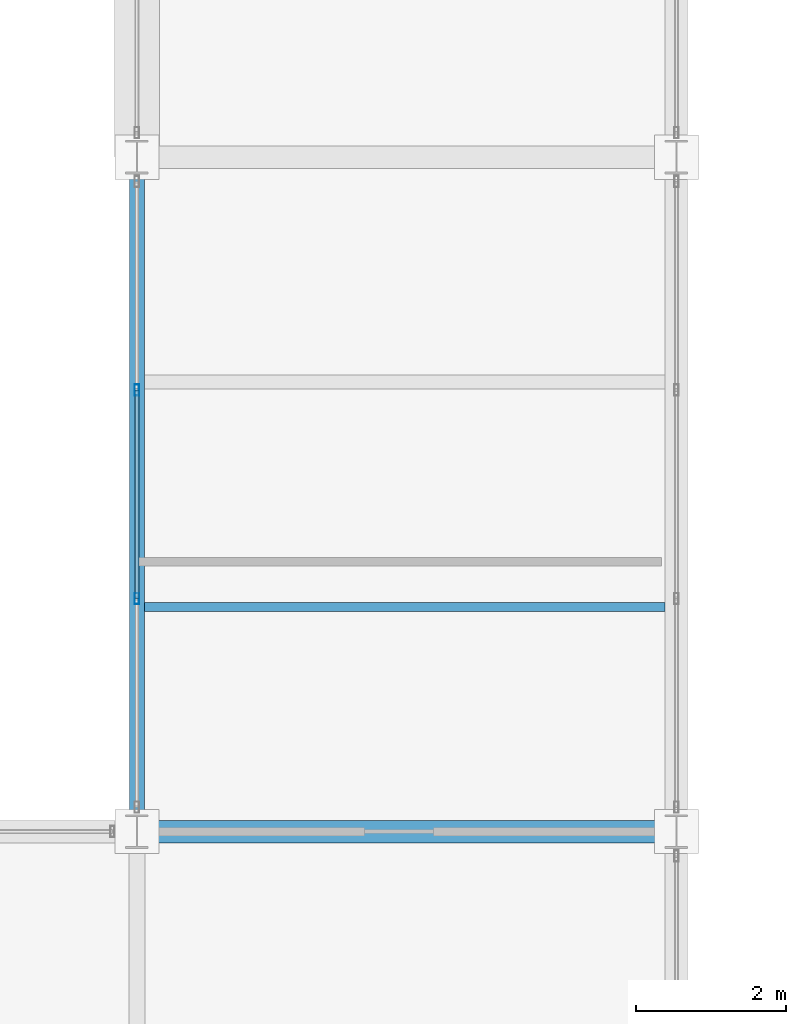
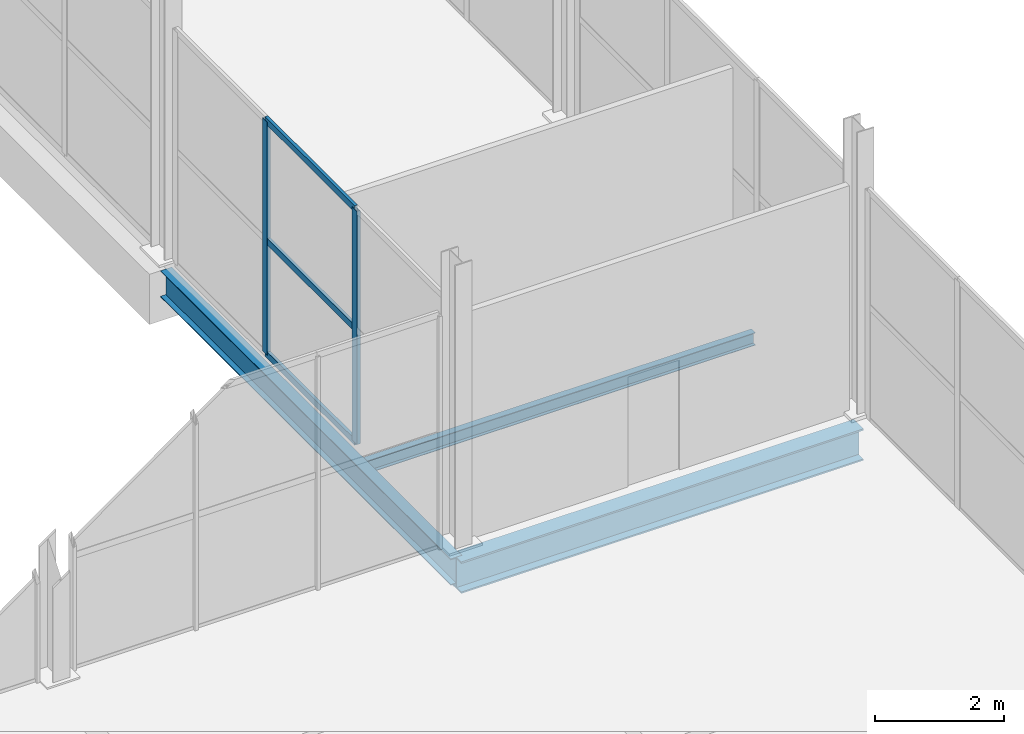
# One storey, part 88 of 147: 5 members, 3 beams, 1 element without a shape of its own.
"""IFC4 building model written with IfcOpenShell, lengths in metres."""

from ifc_helpers import new_model, si_unit, direction, frame, origin, origin_2d, place, context, subcontext, project, spatial, hollow_rectangle, i_section, extrude, material, layer, layer_set, material_profile, profile_set, type_object, element, aggregate, save


model = new_model("IFC4")

# Units and contexts
model_context = context("Model", 3, precision=1e-05, world=origin(), true_north=direction((0.0, 1.0)))
body_context = subcontext(model_context, "Body", "Model", "MODEL_VIEW")
ifc_project = project(units=[si_unit("LENGTHUNIT", "METRE"), si_unit("AREAUNIT", "SQUARE_METRE"), si_unit("VOLUMEUNIT", "CUBIC_METRE"), si_unit("PLANEANGLEUNIT", "RADIAN"), si_unit("MASSUNIT", "GRAM", prefix="KILO")], contexts=[model_context])

# Site, building, storey
site_placement = place(None, origin())
site = spatial("IfcSite", under=ifc_project, at=site_placement, CompositionType="ELEMENT")
building_placement = place(site_placement, origin())
building = spatial("IfcBuilding", under=site, at=building_placement, Name="Sundgate Opera House", CompositionType="ELEMENT")
storey_placement = place(building_placement, frame((0.0, 0.0, 6.0)))
storey = spatial("IfcBuildingStorey", under=building, at=storey_placement, Name="L01", CompositionType="ELEMENT", Elevation=6.0)

# Beams
ifc_material_1 = material(Name="Steel S355J2", Category="steel")
ifc_material_profile_1 = material_profile(ifc_material_1, i_section(OverallWidth=0.300048828125, OverallDepth=0.60009765625, WebThickness=0.015380859375, FlangeThickness=0.030029296875, at=origin_2d()), Name="HEB 600")
ifc_profile_set_1 = profile_set([ifc_material_profile_1], Name="Steel S355J2")
beam_type_1 = type_object("IfcBeamType", Name="BM-GR-HEB600", PredefinedType="BEAM", material=ifc_profile_set_1)
beam_1_placement = place(storey_placement, frame((138.60009765625, 42.0, -0.60009765625), z_axis=(1.0, 0.0, 0.0), x_axis=(0.0, 1.0, 0.0)))
element("IfcBeam", 1, at=beam_1_placement, inside=storey, type_object=beam_type_1, Name="L01 Primary E-W Girder B1338", PredefinedType="BEAM", context=body_context, shape_type="SweptSolid", body=[
    extrude(i_section(OverallWidth=0.300048828125, OverallDepth=0.60009765625, WebThickness=0.015380859375, FlangeThickness=0.030029296875, at=origin_2d()), origin(), (0.0, 0.0, 1.0), 7.199951171875),
])
ifc_material_2 = material(Name="Steel S355J2", Category="steel")
ifc_material_profile_2 = material_profile(ifc_material_2, i_section(OverallWidth=0.199951171875, OverallDepth=0.5, WebThickness=0.01025390625, FlangeThickness=0.01611328125, at=origin_2d()), Name="IPE 500")
ifc_profile_set_2 = profile_set([ifc_material_profile_2], Name="Steel S355J2")
beam_type_2 = type_object("IfcBeamType", Name="BM-GR-IPE500", PredefinedType="BEAM", material=ifc_profile_set_2)
beam_2_placement = place(storey_placement, frame((138.60009765625, 42.0, -0.550048828125), z_axis=(0.0, 1.0, 0.0), x_axis=(-1.0, 0.0, 0.0)))
element("IfcBeam", 2, at=beam_2_placement, inside=storey, type_object=beam_type_2, Name="L01 Primary N-S Girder B1220", PredefinedType="BEAM", context=body_context, shape_type="SweptSolid", body=[
    extrude(i_section(OverallWidth=0.199951171875, OverallDepth=0.5, WebThickness=0.01025390625, FlangeThickness=0.01611328125, at=origin_2d()), origin(), (0.0, 0.0, 1.0), 9.0),
])
ifc_material_3 = material(Name="Steel S355J2", Category="steel")
ifc_material_profile_3 = material_profile(ifc_material_3, i_section(OverallWidth=0.1201171875, OverallDepth=0.239990234375, WebThickness=0.006103515625, FlangeThickness=0.009765625, at=origin_2d()), Name="IPE 240")
ifc_profile_set_3 = profile_set([ifc_material_profile_3], Name="Steel S355J2")
beam_type_3 = type_object("IfcBeamType", Name="BM-JS-IPE240", PredefinedType="JOIST", material=ifc_profile_set_3)
beam_3_placement = place(storey_placement, frame((138.699951171875, 45.0, -0.419921875), z_axis=(1.0, 0.0, 0.0), x_axis=(0.0, 1.0, 0.0)))
element("IfcBeam", 3, at=beam_3_placement, inside=storey, type_object=beam_type_3, Name="L01 Secondary Floor Joist B1574", PredefinedType="JOIST", context=body_context, shape_type="SweptSolid", body=[
    extrude(i_section(OverallWidth=0.1201171875, OverallDepth=0.239990234375, WebThickness=0.006103515625, FlangeThickness=0.009765625, at=origin_2d()), origin(), (0.0, 0.0, 1.0), 6.949951171875),
])

# Curtain wall, members
ifc_material_4 = material(Name="Anodized aluminium and low-iron glass", Category="aluminium")
ifc_layer = layer(ifc_material_4, 0.159912109375)
ifc_layer_set = layer_set([ifc_layer], Name="Anodized aluminium and low-iron glass")
curtain_wall_type = type_object("IfcCurtainWallType", Name="CW-STUDIO-DARK", PredefinedType="NOTDEFINED", material=ifc_layer_set)
curtain_wall_placement = place(storey_placement, origin())
curtain_wall = element("IfcCurtainWall", 4, at=curtain_wall_placement, inside=storey, type_object=curtain_wall_type, Name="L01 Curtain Wall CW059", PredefinedType="NOTDEFINED")
ifc_material_5 = material(Name="Anodized aluminium EN AW-6063", Category="aluminium")
ifc_material_profile_4 = material_profile(ifc_material_5, hollow_rectangle(XDim=0.06005859375, YDim=0.14990234375, WallThickness=0.00390625, at=origin_2d()), Name="CWM 150x60x4")
ifc_profile_set_4 = profile_set([ifc_material_profile_4], Name="Anodized aluminium EN AW-6063")
member_type_1 = type_object("IfcMemberType", Name="CWM-ALU-150x60", PredefinedType="MULLION", material=ifc_profile_set_4)
member_1_placement = place(storey_placement, frame((138.60009765625, 47.8916015625, 0.0), z_axis=(0.0, 0.0, 1.0), x_axis=(1.0, 0.0, 0.0)))
member_1 = element("IfcMember", 5, at=member_1_placement, type_object=member_type_1, Name="CW059 Mullion 2", PredefinedType="MULLION", context=body_context, shape_type="SweptSolid", body=[
    extrude(hollow_rectangle(XDim=0.06005859375, YDim=0.14990234375, WallThickness=0.00390625, at=origin_2d()), origin(), (0.0, 0.0, 1.0), 4.4150390625),
])
member_2_placement = place(storey_placement, frame((138.60009765625, 45.1083984375, 0.0), z_axis=(0.0, 0.0, 1.0), x_axis=(1.0, 0.0, 0.0)))
member_2 = element("IfcMember", 6, at=member_2_placement, type_object=member_type_1, Name="CW059 Mullion 3", PredefinedType="MULLION", context=body_context, shape_type="SweptSolid", body=[
    extrude(hollow_rectangle(XDim=0.06005859375, YDim=0.14990234375, WallThickness=0.00390625, at=origin_2d()), origin(), (0.0, 0.0, 1.0), 4.4150390625),
])
ifc_material_6 = material(Name="Anodized aluminium EN AW-6063", Category="aluminium")
ifc_material_profile_5 = material_profile(ifc_material_6, hollow_rectangle(XDim=0.054931640625, YDim=0.1201171875, WallThickness=0.00390625, at=origin_2d()), Name="CWT 120x55x4")
ifc_profile_set_5 = profile_set([ifc_material_profile_5], Name="Anodized aluminium EN AW-6063")
member_type_2 = type_object("IfcMemberType", Name="CWT-ALU-120x55", PredefinedType="USERDEFINED", material=ifc_profile_set_5)
member_3_placement = place(storey_placement, frame((138.60009765625, 47.8916015625, 0.0), z_axis=(0.0, -1.0, 0.0), x_axis=(1.0, 0.0, 0.0)))
member_3 = element("IfcMember", 7, at=member_3_placement, type_object=member_type_2, Name="CW059 Transom 4", ObjectType="TRANSOM", PredefinedType="USERDEFINED", context=body_context, shape_type="SweptSolid", body=[
    extrude(hollow_rectangle(XDim=0.054931640625, YDim=0.1201171875, WallThickness=0.00390625, at=origin_2d()), origin(), (0.0, 0.0, 1.0), 2.783203125),
])
member_4_placement = place(storey_placement, frame((138.60009765625, 47.8916015625, 2.14990234375), z_axis=(0.0, -1.0, 0.0), x_axis=(1.0, 0.0, 0.0)))
member_4 = element("IfcMember", 8, at=member_4_placement, type_object=member_type_2, Name="CW059 Transom 5", ObjectType="TRANSOM", PredefinedType="USERDEFINED", context=body_context, shape_type="SweptSolid", body=[
    extrude(hollow_rectangle(XDim=0.054931640625, YDim=0.1201171875, WallThickness=0.00390625, at=origin_2d()), origin(), (0.0, 0.0, 1.0), 2.783203125),
])
member_5_placement = place(storey_placement, frame((138.60009765625, 47.8916015625, 4.4150390625), z_axis=(0.0, -1.0, 0.0), x_axis=(1.0, 0.0, 0.0)))
member_5 = element("IfcMember", 9, at=member_5_placement, type_object=member_type_2, Name="CW059 Transom 6", ObjectType="TRANSOM", PredefinedType="USERDEFINED", context=body_context, shape_type="SweptSolid", body=[
    extrude(hollow_rectangle(XDim=0.054931640625, YDim=0.1201171875, WallThickness=0.00390625, at=origin_2d()), origin(), (0.0, 0.0, 1.0), 2.783203125),
])
aggregate(curtain_wall, [member_1, member_2, member_3, member_4, member_5])

save(model, "model.ifc")
